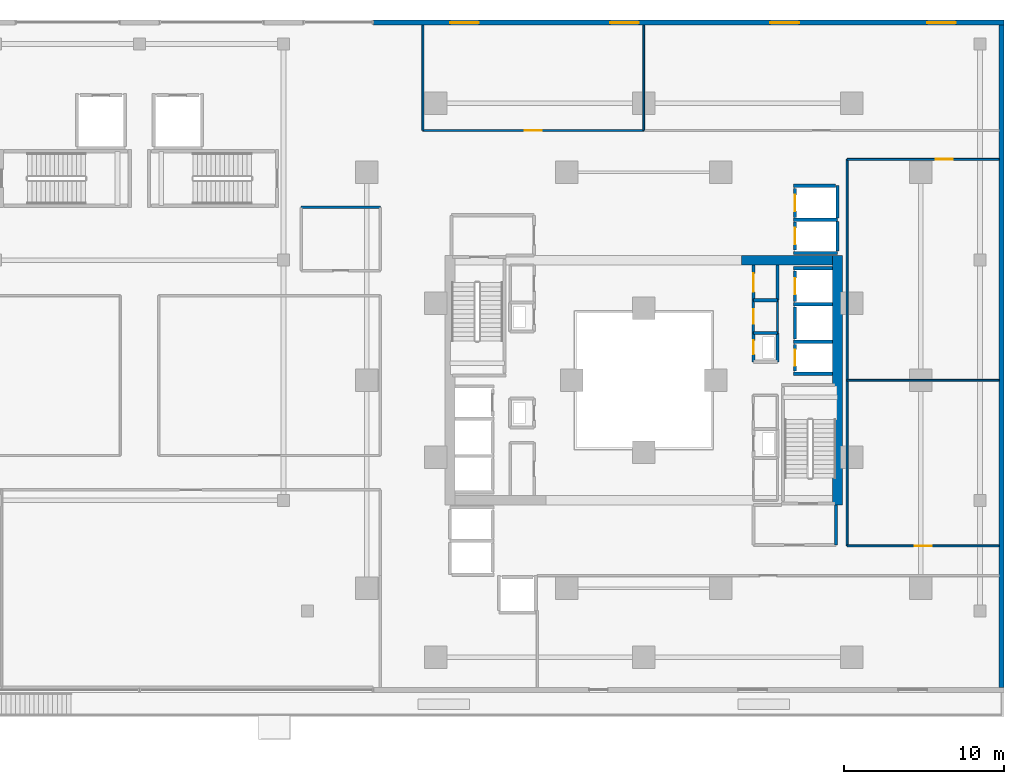
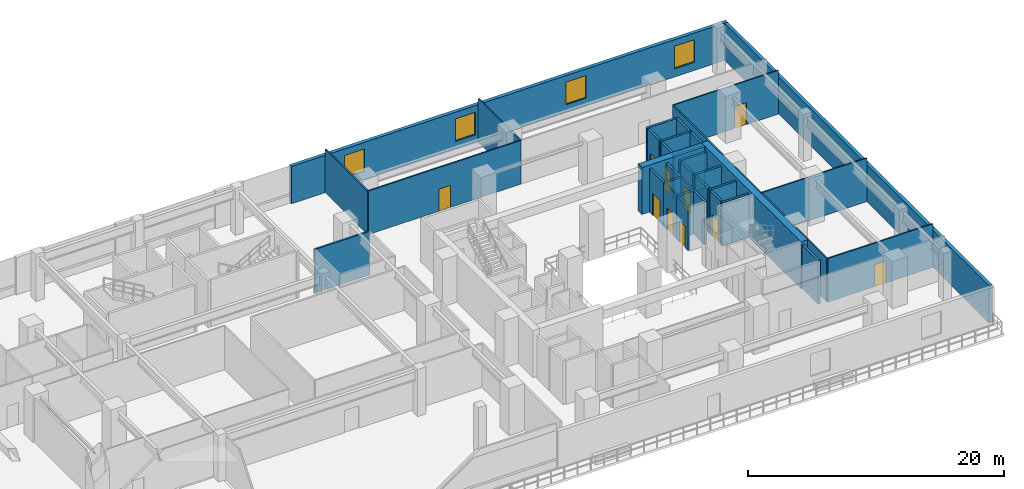
# One storey, part 18 of 25: 36 walls, 10 doors, 4 windows, 14 openings.
"""IFC4 building model written with IfcOpenShell, lengths in metres."""

from ifc_helpers import new_model, si_unit, direction, frame, frame_2d, origin, place, context, subcontext, project, spatial, rectangle, extrude, material, layer, layer_set, type_object, element, fill, save


model = new_model("IFC4")

# Units and contexts
model_context = context("Model", 3, precision=1e-05, world=origin(), true_north=direction((0.0, 1.0)))
body_context = subcontext(model_context, "Body", "Model", "MODEL_VIEW")
ifc_project = project(units=[si_unit("LENGTHUNIT", "METRE"), si_unit("AREAUNIT", "SQUARE_METRE"), si_unit("VOLUMEUNIT", "CUBIC_METRE"), si_unit("PLANEANGLEUNIT", "RADIAN"), si_unit("MASSUNIT", "GRAM", prefix="KILO")], contexts=[model_context])

# Site, building, storey
site_placement = place(None, origin())
site = spatial("IfcSite", under=ifc_project, at=site_placement, CompositionType="ELEMENT")
building_placement = place(site_placement, origin())
building = spatial("IfcBuilding", under=site, at=building_placement, Name="Thornwick Lancets Civic Towers", CompositionType="ELEMENT")
storey_placement = place(building_placement, frame((0.0, 0.0, 9.60009765625)))
storey = spatial("IfcBuildingStorey", under=building, at=storey_placement, Name="L02", CompositionType="ELEMENT", Elevation=9.60009765625)

# Wall, opening, door
ifc_material_1 = material(Name="Concrete blockwork C40/50", Category="masonry")
ifc_layer_1 = layer(ifc_material_1, 0.199951171875, Name="Concrete blockwork C40/50")
ifc_layer_set_1 = layer_set([ifc_layer_1], Name="Concrete blockwork C40/50")
wall_type_1 = type_object("IfcWallType", Name="WALL_COMP_200", PredefinedType="STANDARD", material=ifc_layer_set_1)
wall_1_placement = place(storey_placement, frame((97.949951171875, 29.219970703125, 0.0), z_axis=(0.0, 0.0, 1.0), x_axis=(0.0, -1.0, 0.0)))
wall_1 = element("IfcWall", 1, at=wall_1_placement, inside=storey, type_object=wall_type_1, Name="L02 Hoistway Front Wall FL-B1", PredefinedType="STANDARD", context=body_context, shape_type="SweptSolid", body=[
    extrude(rectangle(XDim=1.639892578125, YDim=0.199951171875, at=frame_2d((0.81982421875, 0.0))), origin(), (0.0, 0.0, 1.0), 4.159912109375),
])
opening_1_placement = place(wall_1_placement, frame((0.31005859375, 0.0, 0.0)))
opening_1 = element("IfcOpeningElement", 2, at=opening_1_placement, cuts=wall_1, Name="Opening LD-FL-B1", PredefinedType="OPENING", context=body_context, shape_type="SweptSolid", body=[
    extrude(rectangle(XDim=1.02001953125, YDim=2.06005859375, at=frame_2d((0.510009765625, 1.030029296875))), frame((0.0, 0.10986328125, 0.0), z_axis=(0.0, -1.0, 0.0), x_axis=(1.0, 0.0, 0.0)), (0.0, 0.0, 1.0), 0.219970703125),
])
ifc_material_2 = material(Name="Brushed bronze stainless steel", Category="steel")
door_type_1 = type_object("IfcDoorType", Name="DOOR_LIFT_SLIDE", OperationType="SLIDING_TO_LEFT", PredefinedType="DOOR", material=ifc_material_2)
door_1_placement = place(opening_1_placement, origin())
door_1 = element("IfcDoor", 3, at=door_1_placement, inside=storey, type_object=door_type_1, Name="L02 Sliding Lift Landing Door LD-FL-B1", OperationType="SLIDING_TO_LEFT", OverallHeight=2.06005859375, OverallWidth=1.02001953125, PredefinedType="DOOR", context=body_context, shape_type="SweptSolid", body=[
    extrude(rectangle(XDim=1.02001953125, YDim=2.06005859375, at=frame_2d((0.510009765625, 1.030029296875))), frame((0.0, 0.02490234375, 0.0), z_axis=(0.0, -1.0, 0.0), x_axis=(1.0, 0.0, 0.0)), (0.0, 0.0, 1.0), 0.050048828125),
])
fill(opening_1, door_1)

# Wall
wall_2_placement = place(storey_placement, frame((97.949951171875, 31.570068359375, 0.0), z_axis=(0.0, 0.0, 1.0), x_axis=(0.0, -1.0, 0.0)))
element("IfcWall", 4, at=wall_2_placement, inside=storey, type_object=wall_type_1, Name="L02 Hoistway Front Wall PL-BH1", PredefinedType="STANDARD", context=body_context, shape_type="SweptSolid", body=[
    extrude(rectangle(XDim=1.989990234375, YDim=0.199951171875, at=frame_2d((0.9951171875, 0.0))), origin(), (0.0, 0.0, 1.0), 4.159912109375),
])

# Wall, opening, door
wall_3_placement = place(storey_placement, frame((97.949951171875, 33.820068359375, 0.0), z_axis=(0.0, 0.0, 1.0), x_axis=(0.0, -1.0, 0.0)))
wall_3 = element("IfcWall", 5, at=wall_3_placement, inside=storey, type_object=wall_type_1, Name="L02 Hoistway Front Wall PL-BL1", PredefinedType="STANDARD", context=body_context, shape_type="SweptSolid", body=[
    extrude(rectangle(XDim=1.89013671875, YDim=0.199951171875, at=frame_2d((0.945068359375, 0.0))), origin(), (0.0, 0.0, 1.0), 4.159912109375),
])
opening_2_placement = place(wall_3_placement, frame((0.43505859375, 0.0, 0.0)))
opening_2 = element("IfcOpeningElement", 6, at=opening_2_placement, cuts=wall_3, Name="Opening LD-PL-BL1", PredefinedType="OPENING", context=body_context, shape_type="SweptSolid", body=[
    extrude(rectangle(XDim=1.02001953125, YDim=2.06005859375, at=frame_2d((0.510009765625, 1.030029296875))), frame((0.0, 0.10986328125, 0.0), z_axis=(0.0, -1.0, 0.0), x_axis=(1.0, 0.0, 0.0)), (0.0, 0.0, 1.0), 0.219970703125),
])
door_2_placement = place(opening_2_placement, origin())
door_2 = element("IfcDoor", 7, at=door_2_placement, inside=storey, type_object=door_type_1, Name="L02 Sliding Lift Landing Door LD-PL-BL1", OperationType="SLIDING_TO_LEFT", OverallHeight=2.06005859375, OverallWidth=1.02001953125, PredefinedType="DOOR", context=body_context, shape_type="SweptSolid", body=[
    extrude(rectangle(XDim=1.02001953125, YDim=2.06005859375, at=frame_2d((0.510009765625, 1.030029296875))), frame((0.0, 0.02490234375, 0.0), z_axis=(0.0, -1.0, 0.0), x_axis=(1.0, 0.0, 0.0)), (0.0, 0.0, 1.0), 0.050048828125),
])
fill(opening_2, door_2)

wall_4_placement = place(storey_placement, frame((97.949951171875, 36.8701171875, 0.0), z_axis=(0.0, 0.0, 1.0), x_axis=(0.0, -1.0, 0.0)))
wall_4 = element("IfcWall", 8, at=wall_4_placement, inside=storey, type_object=wall_type_1, Name="L02 Hoistway Front Wall PL-BL2", PredefinedType="STANDARD", context=body_context, shape_type="SweptSolid", body=[
    extrude(rectangle(XDim=1.740234375, YDim=0.199951171875, at=frame_2d((0.8701171875, 0.0))), origin(), (0.0, 0.0, 1.0), 4.159912109375),
])
opening_3_placement = place(wall_4_placement, frame((0.360107421875, 0.0, 0.0)))
opening_3 = element("IfcOpeningElement", 9, at=opening_3_placement, cuts=wall_4, Name="Opening LD-PL-BL2", PredefinedType="OPENING", context=body_context, shape_type="SweptSolid", body=[
    extrude(rectangle(XDim=1.02001953125, YDim=2.06005859375, at=frame_2d((0.510009765625, 1.030029296875))), frame((0.0, 0.10986328125, 0.0), z_axis=(0.0, -1.0, 0.0), x_axis=(1.0, 0.0, 0.0)), (0.0, 0.0, 1.0), 0.219970703125),
])
door_3_placement = place(opening_3_placement, origin())
door_3 = element("IfcDoor", 10, at=door_3_placement, inside=storey, type_object=door_type_1, Name="L02 Sliding Lift Landing Door LD-PL-BL2", OperationType="SLIDING_TO_LEFT", OverallHeight=2.06005859375, OverallWidth=1.02001953125, PredefinedType="DOOR", context=body_context, shape_type="SweptSolid", body=[
    extrude(rectangle(XDim=1.02001953125, YDim=2.06005859375, at=frame_2d((0.510009765625, 1.030029296875))), frame((0.0, 0.02490234375, 0.0), z_axis=(0.0, -1.0, 0.0), x_axis=(1.0, 0.0, 0.0)), (0.0, 0.0, 1.0), 0.050048828125),
])
fill(opening_3, door_3)

wall_5_placement = place(storey_placement, frame((97.949951171875, 38.969970703125, 0.0), z_axis=(0.0, 0.0, 1.0), x_axis=(0.0, -1.0, 0.0)))
wall_5 = element("IfcWall", 11, at=wall_5_placement, inside=storey, type_object=wall_type_1, Name="L02 Hoistway Front Wall PL-BL3", PredefinedType="STANDARD", context=body_context, shape_type="SweptSolid", body=[
    extrude(rectangle(XDim=1.7900390625, YDim=0.199951171875, at=frame_2d((0.89501953125, 0.0))), origin(), (0.0, 0.0, 1.0), 4.159912109375),
])
opening_4_placement = place(wall_5_placement, frame((0.385009765625, 0.0, 0.0)))
opening_4 = element("IfcOpeningElement", 12, at=opening_4_placement, cuts=wall_5, Name="Opening LD-PL-BL3", PredefinedType="OPENING", context=body_context, shape_type="SweptSolid", body=[
    extrude(rectangle(XDim=1.02001953125, YDim=2.06005859375, at=frame_2d((0.510009765625, 1.030029296875))), frame((0.0, 0.10986328125, 0.0), z_axis=(0.0, -1.0, 0.0), x_axis=(1.0, 0.0, 0.0)), (0.0, 0.0, 1.0), 0.219970703125),
])
door_4_placement = place(opening_4_placement, origin())
door_4 = element("IfcDoor", 13, at=door_4_placement, inside=storey, type_object=door_type_1, Name="L02 Sliding Lift Landing Door LD-PL-BL3", OperationType="SLIDING_TO_LEFT", OverallHeight=2.06005859375, OverallWidth=1.02001953125, PredefinedType="DOOR", context=body_context, shape_type="SweptSolid", body=[
    extrude(rectangle(XDim=1.02001953125, YDim=2.06005859375, at=frame_2d((0.510009765625, 1.030029296875))), frame((0.0, 0.02490234375, 0.0), z_axis=(0.0, -1.0, 0.0), x_axis=(1.0, 0.0, 0.0)), (0.0, 0.0, 1.0), 0.050048828125),
])
fill(opening_4, door_4)

# Walls
for number, where, z_axis, x_axis, name in (
    (14, (97.85205078125, 29.39990234375, 0.0), (0.0, 0.0, 1.0), (1.0, 0.0, 0.0), "L02 Hoistway Shaft Wall FL-B1 N"),
    (15, (97.85205078125, 27.39990234375, 0.0), (0.0, 0.0, 1.0), (1.0, 0.0, 0.0), "L02 Hoistway Shaft Wall FL-B1 S"),
    (16, (97.85205078125, 31.75, 0.0), (0.0, 0.0, 1.0), (1.0, 0.0, 0.0), "L02 Hoistway Shaft Wall PL-BH1 N"),
    (17, (97.85205078125, 34.0, 0.0), (0.0, 0.0, 1.0), (1.0, 0.0, 0.0), "L02 Hoistway Shaft Wall PL-BL1 N"),
):
    element("IfcWall", number, at=place(storey_placement, frame(where, z_axis=z_axis, x_axis=x_axis)), inside=storey, type_object=wall_type_1, Name=name, PredefinedType="STANDARD", context=body_context, shape_type="SweptSolid", body=[
        extrude(rectangle(XDim=2.43603515625, YDim=0.199951171875, at=frame_2d((1.218017578125, 0.0))), origin(), (0.0, 0.0, 1.0), 4.159912109375),
    ])
for number, where, z_axis, x_axis, name in (
    (18, (97.85205078125, 37.02490234375, 0.0), (0.0, 0.0, 1.0), (1.0, 0.0, 0.0), "L02 Hoistway Shaft Wall PL-BL2 N"),
    (19, (97.85205078125, 34.949951171875, 0.0), (0.0, 0.0, 1.0), (1.0, 0.0, 0.0), "L02 Hoistway Shaft Wall PL-BL2 S"),
):
    element("IfcWall", number, at=place(storey_placement, frame(where, z_axis=z_axis, x_axis=x_axis)), inside=storey, type_object=wall_type_1, Name=name, PredefinedType="STANDARD", context=body_context, shape_type="SweptSolid", body=[
        extrude(rectangle(XDim=2.745849609375, YDim=0.199951171875, at=frame_2d((1.373046875, 0.0))), origin(), (0.0, 0.0, 1.0), 4.159912109375),
    ])
wall_6_placement = place(storey_placement, frame((100.60009765625, 35.06201171875, 0.0), z_axis=(0.0, 0.0, 1.0), x_axis=(0.0, 1.0, 0.0)))
element("IfcWall", 20, at=wall_6_placement, inside=storey, type_object=wall_type_1, Name="L02 Hoistway Shaft Wall PL-BL2 E", PredefinedType="STANDARD", context=body_context, shape_type="SweptSolid", body=[
    extrude(rectangle(XDim=1.85595703125, YDim=0.199951171875, at=frame_2d((0.927978515625, 0.0))), origin(), (0.0, 0.0, 1.0), 4.159912109375),
])
wall_7_placement = place(storey_placement, frame((100.60009765625, 37.132080078125, 0.0), z_axis=(0.0, 0.0, 1.0), x_axis=(0.0, 1.0, 0.0)))
element("IfcWall", 21, at=wall_7_placement, inside=storey, type_object=wall_type_1, Name="L02 Hoistway Shaft Wall PL-BL2 E", PredefinedType="STANDARD", context=body_context, shape_type="SweptSolid", body=[
    extrude(rectangle(XDim=2.015869140625, YDim=0.199951171875, at=frame_2d((1.0078125, 0.0))), origin(), (0.0, 0.0, 1.0), 4.159912109375),
])
wall_8_placement = place(storey_placement, frame((97.85205078125, 39.14990234375, 0.0), z_axis=(0.0, 0.0, 1.0), x_axis=(1.0, 0.0, 0.0)))
element("IfcWall", 22, at=wall_8_placement, inside=storey, type_object=wall_type_1, Name="L02 Hoistway Shaft Wall PL-BL3 N", PredefinedType="STANDARD", context=body_context, shape_type="SweptSolid", body=[
    extrude(rectangle(XDim=2.635986328125, YDim=0.199951171875, at=frame_2d((1.31787109375, 0.0))), origin(), (0.0, 0.0, 1.0), 4.159912109375),
])
wall_9_placement = place(storey_placement, frame((100.5, 16.699951171875, 0.0), z_axis=(0.0, 0.0, 1.0), x_axis=(0.0, 1.0, 0.0)))
element("IfcWall", 23, at=wall_9_placement, inside=storey, type_object=wall_type_1, Name="L02 Partition L02-B-FFLOB1 E2", PredefinedType="STANDARD", context=body_context, shape_type="SweptSolid", body=[
    extrude(rectangle(XDim=2.5, YDim=0.199951171875, at=frame_2d((1.25, 0.0))), origin(), (0.0, 0.0, 1.0), 4.159912109375),
])
wall_10_placement = place(storey_placement, frame((96.85009765625, 28.14990234375, 0.0), z_axis=(0.0, 0.0, 1.0), x_axis=(0.0, 1.0, 0.0)))
element("IfcWall", 24, at=wall_10_placement, inside=storey, type_object=wall_type_1, Name="L02 Partition L02-B-DUCT1 E2", PredefinedType="STANDARD", context=body_context, shape_type="SweptSolid", body=[
    extrude(rectangle(XDim=1.800048828125, YDim=0.199951171875, at=frame_2d((0.89990234375, 0.0))), origin(), (0.0, 0.0, 1.0), 4.159912109375),
])
wall_11_placement = place(storey_placement, frame((96.85009765625, 29.949951171875, 0.0), z_axis=(0.0, 0.0, 1.0), x_axis=(-1.0, 0.0, 0.0)))
element("IfcWall", 25, at=wall_11_placement, inside=storey, type_object=wall_type_1, Name="L02 Partition L02-B-DUCT1 E3", PredefinedType="STANDARD", context=body_context, shape_type="SweptSolid", body=[
    extrude(rectangle(XDim=1.5, YDim=0.199951171875, at=frame_2d((0.75, 0.0))), origin(), (0.0, 0.0, 1.0), 4.159912109375),
])

# Wall, opening, door
wall_12_placement = place(storey_placement, frame((95.35009765625, 29.949951171875, 0.0), z_axis=(0.0, 0.0, 1.0), x_axis=(0.0, -1.0, 0.0)))
wall_12 = element("IfcWall", 26, at=wall_12_placement, inside=storey, type_object=wall_type_1, Name="L02 Partition L02-B-DUCT1 E4", PredefinedType="STANDARD", context=body_context, shape_type="SweptSolid", body=[
    extrude(rectangle(XDim=1.800048828125, YDim=0.199951171875, at=frame_2d((0.89990234375, 0.0))), origin(), (0.0, 0.0, 1.0), 4.159912109375),
])
opening_5_placement = place(wall_12_placement, frame((0.4599609375, 0.0, 0.0)))
opening_5 = element("IfcOpeningElement", 27, at=opening_5_placement, cuts=wall_12, Name="Opening D-L02-0152", PredefinedType="OPENING", context=body_context, shape_type="SweptSolid", body=[
    extrude(rectangle(XDim=0.8798828125, YDim=2.0400390625, at=frame_2d((0.43994140625, 1.02001953125))), frame((0.0, 0.10986328125, 0.0), z_axis=(0.0, -1.0, 0.0), x_axis=(1.0, 0.0, 0.0)), (0.0, 0.0, 1.0), 0.219970703125),
])
ifc_material_3 = material(Name="Steel riser access doorset", Category="steel")
door_type_2 = type_object("IfcDoorType", Name="DOOR_RISER_850", OperationType="NOTDEFINED", PredefinedType="DOOR", material=ifc_material_3)
door_5_placement = place(opening_5_placement, origin())
door_5 = element("IfcDoor", 28, at=door_5_placement, inside=storey, type_object=door_type_2, Name="L02 East Service Duct 1 Door", OperationType="SINGLE_SWING_LEFT", OverallHeight=2.0400390625, OverallWidth=0.8798828125, PredefinedType="DOOR", context=body_context, shape_type="SweptSolid", body=[
    extrude(rectangle(XDim=0.8798828125, YDim=2.0400390625, at=frame_2d((0.43994140625, 1.02001953125))), frame((0.0, 0.02490234375, 0.0), z_axis=(0.0, -1.0, 0.0), x_axis=(1.0, 0.0, 0.0)), (0.0, 0.0, 1.0), 0.050048828125),
])
fill(opening_5, door_5)

wall_13_placement = place(storey_placement, frame((95.35009765625, 32.0, 0.0), z_axis=(0.0, 0.0, 1.0), x_axis=(0.0, 1.0, 0.0)))
wall_13 = element("IfcWall", 29, at=wall_13_placement, inside=storey, type_object=wall_type_1, Name="L02 Partition L02-B-STR2 E1", PredefinedType="STANDARD", context=body_context, shape_type="SweptSolid", body=[
    extrude(rectangle(XDim=2.199951171875, YDim=0.199951171875, at=frame_2d((1.10009765625, 0.0))), origin(), (0.0, 0.0, 1.0), 4.159912109375),
])
opening_6_placement = place(wall_13_placement, frame((0.52490234375, 0.0, 0.0)))
opening_6 = element("IfcOpeningElement", 30, at=opening_6_placement, cuts=wall_13, Name="Opening D-L02-0159", PredefinedType="OPENING", context=body_context, shape_type="SweptSolid", body=[
    extrude(rectangle(XDim=1.14990234375, YDim=2.10009765625, at=frame_2d((0.574951171875, 1.050048828125))), frame((0.0, 0.10986328125, 0.0), z_axis=(0.0, -1.0, 0.0), x_axis=(1.0, 0.0, 0.0)), (0.0, 0.0, 1.0), 0.219970703125),
])
ifc_material_4 = material(Name="Glazed fire-resisting steel", Category="steel")
door_type_3 = type_object("IfcDoorType", Name="DOOR_LOBBY_FD60", OperationType="NOTDEFINED", PredefinedType="DOOR", material=ifc_material_4)
door_6_placement = place(opening_6_placement, origin())
door_6 = element("IfcDoor", 31, at=door_6_placement, inside=storey, type_object=door_type_3, Name="L02 Tower B Core Supplies Store Door", OperationType="SINGLE_SWING_RIGHT", OverallHeight=2.10009765625, OverallWidth=1.14990234375, PredefinedType="DOOR", context=body_context, shape_type="SweptSolid", body=[
    extrude(rectangle(XDim=1.14990234375, YDim=2.10009765625, at=frame_2d((0.574951171875, 1.050048828125))), frame((0.0, 0.02490234375, 0.0), z_axis=(0.0, -1.0, 0.0), x_axis=(1.0, 0.0, 0.0)), (0.0, 0.0, 1.0), 0.050048828125),
])
fill(opening_6, door_6)

# Walls
wall_14_placement = place(storey_placement, frame((96.85009765625, 34.199951171875, 0.0), z_axis=(0.0, 0.0, 1.0), x_axis=(0.0, -1.0, 0.0)))
element("IfcWall", 32, at=wall_14_placement, inside=storey, type_object=wall_type_1, Name="L02 Partition L02-B-STR2 E3", PredefinedType="STANDARD", context=body_context, shape_type="SweptSolid", body=[
    extrude(rectangle(XDim=2.199951171875, YDim=0.199951171875, at=frame_2d((1.10009765625, 0.0))), origin(), (0.0, 0.0, 1.0), 4.159912109375),
])
wall_15_placement = place(storey_placement, frame((96.85009765625, 32.0, 0.0), z_axis=(0.0, 0.0, 1.0), x_axis=(-1.0, 0.0, 0.0)))
element("IfcWall", 33, at=wall_15_placement, inside=storey, type_object=wall_type_1, Name="L02 Partition L02-B-STR2 E4", PredefinedType="STANDARD", context=body_context, shape_type="SweptSolid", body=[
    extrude(rectangle(XDim=1.5, YDim=0.199951171875, at=frame_2d((0.75, 0.0))), origin(), (0.0, 0.0, 1.0), 4.159912109375),
])
ifc_material_5 = material(Name="Concrete C60/75", Category="concrete")
ifc_layer_2 = layer(ifc_material_5, 0.60009765625, Name="Concrete C60/75")
ifc_layer_set_2 = layer_set([ifc_layer_2], Name="Concrete C60/75")
wall_type_2 = type_object("IfcWallType", Name="WALL_CORE_600", PredefinedType="SHEAR", material=ifc_layer_set_2)
wall_16_placement = place(storey_placement, frame((100.60009765625, 19.199951171875, 0.0), z_axis=(0.0, 0.0, 1.0), x_axis=(0.0, 1.0, 0.0)))
element("IfcWall", 34, at=wall_16_placement, inside=storey, type_object=wall_type_2, Name="L02 Split Core B1 Shear Wall E", PredefinedType="SHEAR", context=body_context, shape_type="SweptSolid", body=[
    extrude(rectangle(XDim=15.60009765625, YDim=0.60009765625, at=frame_2d((7.800048828125, 0.0))), origin(), (0.0, 0.0, 1.0), 4.5),
])
wall_17_placement = place(storey_placement, frame((94.60009765625, 34.5, 0.0), z_axis=(0.0, 0.0, 1.0), x_axis=(1.0, 0.0, 0.0)))
element("IfcWall", 35, at=wall_17_placement, inside=storey, type_object=wall_type_2, Name="L02 Split Core B1 Shear Wall N", PredefinedType="SHEAR", context=body_context, shape_type="SweptSolid", body=[
    extrude(rectangle(XDim=5.699951171875, YDim=0.60009765625, at=frame_2d((2.85009765625, 0.0))), origin(), (0.0, 0.0, 1.0), 4.5),
])
ifc_material_6 = material(Name="Insulated russet terracotta rainscreen on concrete C40/50", Category="masonry")
ifc_layer_3 = layer(ifc_material_6, 0.300048828125, Name="Insulated russet terracotta rainscreen on concrete C40/50")
ifc_layer_set_3 = layer_set([ifc_layer_3], Name="Insulated russet terracotta rainscreen on concrete C40/50")
wall_type_3 = type_object("IfcWallType", Name="WALL_EXT_RUSSET_300", PredefinedType="STANDARD", material=ifc_layer_set_3)
wall_18_placement = place(storey_placement, frame((110.85009765625, 7.820068359375, 0.0), z_axis=(0.0, 0.0, 1.0), x_axis=(0.0, 1.0, 0.0)))
element("IfcWall", 36, at=wall_18_placement, inside=storey, type_object=wall_type_3, Name="L02 Podium East Facade Wall", PredefinedType="STANDARD", context=body_context, shape_type="SweptSolid", body=[
    extrude(rectangle(XDim=41.35986328125, YDim=0.300048828125, at=frame_2d((20.679931640625, 0.0))), origin(), (0.0, 0.0, 1.0), 3.559814453125),
])

# Wall, openings, windows
ifc_material_7 = material(Name="Insulated buff terracotta rainscreen on concrete C40/50", Category="masonry")
ifc_layer_4 = layer(ifc_material_7, 0.320068359375, Name="Insulated buff terracotta rainscreen on concrete C40/50")
ifc_layer_set_4 = layer_set([ifc_layer_4], Name="Insulated buff terracotta rainscreen on concrete C40/50")
wall_type_4 = type_object("IfcWallType", Name="WALL_EXT_TERRA_320", PredefinedType="STANDARD", material=ifc_layer_set_4)
wall_19_placement = place(storey_placement, frame((111.0, 49.340087890625, 0.0), z_axis=(0.0, 0.0, 1.0), x_axis=(-1.0, 0.0, 0.0)))
wall_19 = element("IfcWall", 37, at=wall_19_placement, inside=storey, type_object=wall_type_4, Name="L02 Podium North-East Facade Wall", PredefinedType="STANDARD", context=body_context, shape_type="SweptSolid", body=[
    extrude(rectangle(XDim=39.39990234375, YDim=0.320068359375, at=frame_2d((19.699951171875, 0.0))), origin(), (0.0, 0.0, 1.0), 3.559814453125),
])
opening_7_placement = place(wall_19_placement, frame((3.0, 0.0, 0.780029296875)))
opening_7 = element("IfcOpeningElement", 38, at=opening_7_placement, cuts=wall_19, Name="Opening WP-18", PredefinedType="OPENING", context=body_context, shape_type="SweptSolid", body=[
    extrude(rectangle(XDim=1.800048828125, YDim=2.14990234375, at=frame_2d((0.89990234375, 1.074951171875))), frame((0.0, 0.169921875, 0.0), z_axis=(0.0, -1.0, 0.0), x_axis=(1.0, 0.0, 0.0)), (0.0, 0.0, 1.0), 0.340087890625),
])
opening_8_placement = place(wall_19_placement, frame((12.800048828125, 0.0, 0.780029296875)))
opening_8 = element("IfcOpeningElement", 39, at=opening_8_placement, cuts=wall_19, Name="Opening WP-18", PredefinedType="OPENING", context=body_context, shape_type="SweptSolid", body=[
    extrude(rectangle(XDim=1.800048828125, YDim=2.14990234375, at=frame_2d((0.89990234375, 1.074951171875))), frame((0.0, 0.169921875, 0.0), z_axis=(0.0, -1.0, 0.0), x_axis=(1.0, 0.0, 0.0)), (0.0, 0.0, 1.0), 0.340087890625),
])
opening_9_placement = place(wall_19_placement, frame((22.800048828125, 0.0, 0.780029296875)))
opening_9 = element("IfcOpeningElement", 40, at=opening_9_placement, cuts=wall_19, Name="Opening WP-18", PredefinedType="OPENING", context=body_context, shape_type="SweptSolid", body=[
    extrude(rectangle(XDim=1.800048828125, YDim=2.14990234375, at=frame_2d((0.89990234375, 1.074951171875))), frame((0.0, 0.169921875, 0.0), z_axis=(0.0, -1.0, 0.0), x_axis=(1.0, 0.0, 0.0)), (0.0, 0.0, 1.0), 0.340087890625),
])
opening_10_placement = place(wall_19_placement, frame((32.800048828125, 0.0, 0.780029296875)))
opening_10 = element("IfcOpeningElement", 41, at=opening_10_placement, cuts=wall_19, Name="Opening WP-18", PredefinedType="OPENING", context=body_context, shape_type="SweptSolid", body=[
    extrude(rectangle(XDim=1.800048828125, YDim=2.14990234375, at=frame_2d((0.89990234375, 1.074951171875))), frame((0.0, 0.169921875, 0.0), z_axis=(0.0, -1.0, 0.0), x_axis=(1.0, 0.0, 0.0)), (0.0, 0.0, 1.0), 0.340087890625),
])
ifc_material_8 = material(Name="Pointed lancet clear glass window", Category="glass")
window_type = type_object("IfcWindowType", Name="WIN_PODIUM_1800", PartitioningType="SINGLE_PANEL", PredefinedType="WINDOW", material=ifc_material_8)
window_1_placement = place(opening_7_placement, origin())
window_1 = element("IfcWindow", 42, at=window_1_placement, inside=storey, type_object=window_type, Name="L02 Podium Lancet Window 1", OverallHeight=2.14990234375, OverallWidth=1.800048828125, PartitioningType="SINGLE_PANEL", PredefinedType="WINDOW", context=body_context, shape_type="SweptSolid", body=[
    extrude(rectangle(XDim=1.800048828125, YDim=2.14990234375, at=frame_2d((0.89990234375, 1.074951171875))), frame((0.0, 0.030029296875, 0.0), z_axis=(0.0, -1.0, 0.0), x_axis=(1.0, 0.0, 0.0)), (0.0, 0.0, 1.0), 0.06005859375),
])
fill(opening_7, window_1)
window_2_placement = place(opening_8_placement, origin())
window_2 = element("IfcWindow", 43, at=window_2_placement, inside=storey, type_object=window_type, Name="L02 Podium Lancet Window 2", OverallHeight=2.14990234375, OverallWidth=1.800048828125, PartitioningType="SINGLE_PANEL", PredefinedType="WINDOW", context=body_context, shape_type="SweptSolid", body=[
    extrude(rectangle(XDim=1.800048828125, YDim=2.14990234375, at=frame_2d((0.89990234375, 1.074951171875))), frame((0.0, 0.030029296875, 0.0), z_axis=(0.0, -1.0, 0.0), x_axis=(1.0, 0.0, 0.0)), (0.0, 0.0, 1.0), 0.06005859375),
])
fill(opening_8, window_2)
window_3_placement = place(opening_9_placement, origin())
window_3 = element("IfcWindow", 44, at=window_3_placement, inside=storey, type_object=window_type, Name="L02 Podium Lancet Window 3", OverallHeight=2.14990234375, OverallWidth=1.800048828125, PartitioningType="SINGLE_PANEL", PredefinedType="WINDOW", context=body_context, shape_type="SweptSolid", body=[
    extrude(rectangle(XDim=1.800048828125, YDim=2.14990234375, at=frame_2d((0.89990234375, 1.074951171875))), frame((0.0, 0.030029296875, 0.0), z_axis=(0.0, -1.0, 0.0), x_axis=(1.0, 0.0, 0.0)), (0.0, 0.0, 1.0), 0.06005859375),
])
fill(opening_9, window_3)
window_4_placement = place(opening_10_placement, origin())
window_4 = element("IfcWindow", 45, at=window_4_placement, inside=storey, type_object=window_type, Name="L02 Podium Lancet Window 4", OverallHeight=2.14990234375, OverallWidth=1.800048828125, PartitioningType="SINGLE_PANEL", PredefinedType="WINDOW", context=body_context, shape_type="SweptSolid", body=[
    extrude(rectangle(XDim=1.800048828125, YDim=2.14990234375, at=frame_2d((0.89990234375, 1.074951171875))), frame((0.0, 0.030029296875, 0.0), z_axis=(0.0, -1.0, 0.0), x_axis=(1.0, 0.0, 0.0)), (0.0, 0.0, 1.0), 0.06005859375),
])
fill(opening_10, window_4)

# Walls
ifc_material_9 = material(Name="Acoustic gypsum board partition")
ifc_layer_5 = layer(ifc_material_9, 0.1201171875, Name="Acoustic gypsum board partition")
ifc_layer_set_5 = layer_set([ifc_layer_5], Name="Acoustic gypsum board partition")
wall_type_5 = type_object("IfcWallType", Name="WALL_PART_120", PredefinedType="PARTITIONING", material=ifc_layer_set_5)
wall_20_placement = place(storey_placement, frame((101.199951171875, 16.64990234375, 0.0), z_axis=(0.0, 0.0, 1.0), x_axis=(0.0, 1.0, 0.0)))
element("IfcWall", 46, at=wall_20_placement, inside=storey, type_object=wall_type_5, Name="L02 Partition L02-PANT E1", PredefinedType="PARTITIONING", context=body_context, shape_type="SweptSolid", body=[
    extrude(rectangle(XDim=10.35009765625, YDim=0.1201171875, at=frame_2d((5.175048828125, 0.0))), origin(), (0.0, 0.0, 1.0), 4.159912109375),
])
wall_21_placement = place(storey_placement, frame((101.199951171875, 27.0, 0.0), z_axis=(0.0, 0.0, 1.0), x_axis=(1.0, 0.0, 0.0)))
element("IfcWall", 47, at=wall_21_placement, inside=storey, type_object=wall_type_5, Name="L02 Partition L02-PANT E2", PredefinedType="PARTITIONING", context=body_context, shape_type="SweptSolid", body=[
    extrude(rectangle(XDim=9.5, YDim=0.1201171875, at=frame_2d((4.75, 0.0))), origin(), (0.0, 0.0, 1.0), 4.159912109375),
])

# Wall, opening, door
wall_22_placement = place(storey_placement, frame((110.699951171875, 16.64990234375, 0.0), z_axis=(0.0, 0.0, 1.0), x_axis=(-1.0, 0.0, 0.0)))
wall_22 = element("IfcWall", 48, at=wall_22_placement, inside=storey, type_object=wall_type_5, Name="L02 Partition L02-PANT E4", PredefinedType="PARTITIONING", context=body_context, shape_type="SweptSolid", body=[
    extrude(rectangle(XDim=9.5, YDim=0.1201171875, at=frame_2d((4.75, 0.0))), origin(), (0.0, 0.0, 1.0), 4.159912109375),
])
opening_11_placement = place(wall_22_placement, frame((4.22509765625, 0.0, 0.0)))
opening_11 = element("IfcOpeningElement", 49, at=opening_11_placement, cuts=wall_22, Name="Opening D-L02-0168", PredefinedType="OPENING", context=body_context, shape_type="SweptSolid", body=[
    extrude(rectangle(XDim=1.050048828125, YDim=2.10009765625, at=frame_2d((0.52490234375, 1.050048828125))), frame((0.0, 0.070068359375, 0.0), z_axis=(0.0, -1.0, 0.0), x_axis=(1.0, 0.0, 0.0)), (0.0, 0.0, 1.0), 0.14013671875),
])
ifc_material_10 = material(Name="Glazed European oak executive doorset")
door_type_4 = type_object("IfcDoorType", Name="DOOR_OFFICE_1050", OperationType="NOTDEFINED", PredefinedType="DOOR", material=ifc_material_10)
door_7_placement = place(opening_11_placement, origin())
door_7 = element("IfcDoor", 50, at=door_7_placement, inside=storey, type_object=door_type_4, Name="L02 Staff Pantry and Breakout Lounge Door", OperationType="SINGLE_SWING_LEFT", OverallHeight=2.10009765625, OverallWidth=1.050048828125, PredefinedType="DOOR", context=body_context, shape_type="SweptSolid", body=[
    extrude(rectangle(XDim=1.050048828125, YDim=2.10009765625, at=frame_2d((0.52490234375, 1.050048828125))), frame((0.0, 0.02490234375, 0.0), z_axis=(0.0, -1.0, 0.0), x_axis=(1.0, 0.0, 0.0)), (0.0, 0.0, 1.0), 0.050048828125),
])
fill(opening_11, door_7)

# Wall
wall_23_placement = place(storey_placement, frame((101.199951171875, 27.0, 0.0), z_axis=(0.0, 0.0, 1.0), x_axis=(0.0, 1.0, 0.0)))
element("IfcWall", 51, at=wall_23_placement, inside=storey, type_object=wall_type_5, Name="L02 Partition L02-ESUITE E1", PredefinedType="PARTITIONING", context=body_context, shape_type="SweptSolid", body=[
    extrude(rectangle(XDim=13.800048828125, YDim=0.1201171875, at=frame_2d((6.89990234375, 0.0))), origin(), (0.0, 0.0, 1.0), 4.159912109375),
])

# Wall, opening, door
wall_24_placement = place(storey_placement, frame((101.199951171875, 40.800048828125, 0.0), z_axis=(0.0, 0.0, 1.0), x_axis=(1.0, 0.0, 0.0)))
wall_24 = element("IfcWall", 52, at=wall_24_placement, inside=storey, type_object=wall_type_5, Name="L02 Partition L02-ESUITE E2", PredefinedType="PARTITIONING", context=body_context, shape_type="SweptSolid", body=[
    extrude(rectangle(XDim=9.5, YDim=0.1201171875, at=frame_2d((4.75, 0.0))), origin(), (0.0, 0.0, 1.0), 4.159912109375),
])
opening_12_placement = place(wall_24_placement, frame((5.544921875, 0.0, 0.0)))
opening_12 = element("IfcOpeningElement", 53, at=opening_12_placement, cuts=wall_24, Name="Opening D-L02-0169", PredefinedType="OPENING", context=body_context, shape_type="SweptSolid", body=[
    extrude(rectangle(XDim=1.050048828125, YDim=2.10009765625, at=frame_2d((0.52490234375, 1.050048828125))), frame((0.0, 0.070068359375, 0.0), z_axis=(0.0, -1.0, 0.0), x_axis=(1.0, 0.0, 0.0)), (0.0, 0.0, 1.0), 0.14013671875),
])
door_8_placement = place(opening_12_placement, origin())
door_8 = element("IfcDoor", 54, at=door_8_placement, inside=storey, type_object=door_type_4, Name="L02 East Advisory Suite Door", OperationType="SINGLE_SWING_RIGHT", OverallHeight=2.10009765625, OverallWidth=1.050048828125, PredefinedType="DOOR", context=body_context, shape_type="SweptSolid", body=[
    extrude(rectangle(XDim=1.050048828125, YDim=2.10009765625, at=frame_2d((0.52490234375, 1.050048828125))), frame((0.0, 0.02490234375, 0.0), z_axis=(0.0, -1.0, 0.0), x_axis=(1.0, 0.0, 0.0)), (0.0, 0.0, 1.0), 0.050048828125),
])
fill(opening_12, door_8)

# Walls
for number, where, z_axis, x_axis, name in (
    (55, (74.699951171875, 42.60009765625, 0.0), (0.0, 0.0, 1.0), (0.0, 1.0, 0.0), "L02 Partition L02-OFFNC E1"),
    (56, (88.5, 49.179931640625, 0.0), (0.0, 0.0, 1.0), (0.0, -1.0, 0.0), "L02 Partition L02-OFFNC E3"),
):
    element("IfcWall", number, at=place(storey_placement, frame(where, z_axis=z_axis, x_axis=x_axis)), inside=storey, type_object=wall_type_5, Name=name, PredefinedType="PARTITIONING", context=body_context, shape_type="SweptSolid", body=[
        extrude(rectangle(XDim=6.579833984375, YDim=0.1201171875, at=frame_2d((3.2900390625, 0.0))), origin(), (0.0, 0.0, 1.0), 4.159912109375),
    ])

# Wall, opening, door
wall_25_placement = place(storey_placement, frame((88.5, 42.60009765625, 0.0), z_axis=(0.0, 0.0, 1.0), x_axis=(-1.0, 0.0, 0.0)))
wall_25 = element("IfcWall", 57, at=wall_25_placement, inside=storey, type_object=wall_type_5, Name="L02 Partition L02-OFFNC E4", PredefinedType="PARTITIONING", context=body_context, shape_type="SweptSolid", body=[
    extrude(rectangle(XDim=13.800048828125, YDim=0.1201171875, at=frame_2d((6.89990234375, 0.0))), origin(), (0.0, 0.0, 1.0), 4.159912109375),
])
opening_13_placement = place(wall_25_placement, frame((6.375, 0.0, 0.0)))
opening_13 = element("IfcOpeningElement", 58, at=opening_13_placement, cuts=wall_25, Name="Opening D-L02-0175", PredefinedType="OPENING", context=body_context, shape_type="SweptSolid", body=[
    extrude(rectangle(XDim=1.050048828125, YDim=2.10009765625, at=frame_2d((0.52490234375, 1.050048828125))), frame((0.0, 0.070068359375, 0.0), z_axis=(0.0, -1.0, 0.0), x_axis=(1.0, 0.0, 0.0)), (0.0, 0.0, 1.0), 0.14013671875),
])
door_9_placement = place(opening_13_placement, origin())
door_9 = element("IfcDoor", 59, at=door_9_placement, inside=storey, type_object=door_type_4, Name="L02 North Secretariat Division Door", OperationType="SINGLE_SWING_RIGHT", OverallHeight=2.10009765625, OverallWidth=1.050048828125, PredefinedType="DOOR", context=body_context, shape_type="SweptSolid", body=[
    extrude(rectangle(XDim=1.050048828125, YDim=2.10009765625, at=frame_2d((0.52490234375, 1.050048828125))), frame((0.0, 0.02490234375, 0.0), z_axis=(0.0, -1.0, 0.0), x_axis=(1.0, 0.0, 0.0)), (0.0, 0.0, 1.0), 0.050048828125),
])
fill(opening_13, door_9)

ifc_material_11 = material(Name="Twin-stud acoustic gypsum board")
ifc_layer_6 = layer(ifc_material_11, 0.14990234375, Name="Twin-stud acoustic gypsum board")
ifc_layer_set_6 = layer_set([ifc_layer_6], Name="Twin-stud acoustic gypsum board")
wall_type_6 = type_object("IfcWallType", Name="WALL_PART_150", PredefinedType="PARTITIONING", material=ifc_layer_set_6)
wall_26_placement = place(storey_placement, frame((95.35009765625, 29.949951171875, 0.0), z_axis=(0.0, 0.0, 1.0), x_axis=(0.0, 1.0, 0.0)))
wall_26 = element("IfcWall", 60, at=wall_26_placement, inside=storey, type_object=wall_type_6, Name="L02 Partition L02-B-AWC E1", PredefinedType="PARTITIONING", context=body_context, shape_type="SweptSolid", body=[
    extrude(rectangle(XDim=2.050048828125, YDim=0.14990234375, at=frame_2d((1.02490234375, 0.0))), origin(), (0.0, 0.0, 1.0), 4.159912109375),
])
opening_14_placement = place(wall_26_placement, frame((0.56494140625, 0.0, 0.0)))
opening_14 = element("IfcOpeningElement", 61, at=opening_14_placement, cuts=wall_26, Name="Opening D-L02-0158", PredefinedType="OPENING", context=body_context, shape_type="SweptSolid", body=[
    extrude(rectangle(XDim=0.919921875, YDim=2.080078125, at=frame_2d((0.4599609375, 1.0400390625))), frame((0.0, 0.0849609375, 0.0), z_axis=(0.0, -1.0, 0.0), x_axis=(1.0, 0.0, 0.0)), (0.0, 0.0, 1.0), 0.169921875),
])
ifc_material_12 = material(Name="Moisture-resistant oak doorset")
door_type_5 = type_object("IfcDoorType", Name="DOOR_WC_900", OperationType="NOTDEFINED", PredefinedType="DOOR", material=ifc_material_12)
door_10_placement = place(opening_14_placement, origin())
door_10 = element("IfcDoor", 62, at=door_10_placement, inside=storey, type_object=door_type_5, Name="L02 Tower B Accessible WC Door", OperationType="SINGLE_SWING_LEFT", OverallHeight=2.080078125, OverallWidth=0.919921875, PredefinedType="DOOR", context=body_context, shape_type="SweptSolid", body=[
    extrude(rectangle(XDim=0.919921875, YDim=2.080078125, at=frame_2d((0.4599609375, 1.0400390625))), frame((0.0, 0.02490234375, 0.0), z_axis=(0.0, -1.0, 0.0), x_axis=(1.0, 0.0, 0.0)), (0.0, 0.0, 1.0), 0.050048828125),
])
fill(opening_14, door_10)

# Walls
wall_27_placement = place(storey_placement, frame((96.85009765625, 32.0, 0.0), z_axis=(0.0, 0.0, 1.0), x_axis=(0.0, -1.0, 0.0)))
element("IfcWall", 63, at=wall_27_placement, inside=storey, type_object=wall_type_6, Name="L02 Partition L02-B-AWC E3", PredefinedType="PARTITIONING", context=body_context, shape_type="SweptSolid", body=[
    extrude(rectangle(XDim=2.050048828125, YDim=0.14990234375, at=frame_2d((1.02490234375, 0.0))), origin(), (0.0, 0.0, 1.0), 4.159912109375),
])
wall_28_placement = place(storey_placement, frame((72.050048828125, 37.800048828125, 0.0), z_axis=(0.0, 0.0, 1.0), x_axis=(-1.0, 0.0, 0.0)))
element("IfcWall", 64, at=wall_28_placement, inside=storey, type_object=wall_type_6, Name="L02 Partition L02-POD-FWC E3", PredefinedType="PARTITIONING", context=body_context, shape_type="SweptSolid", body=[
    extrude(rectangle(XDim=4.949951171875, YDim=0.14990234375, at=frame_2d((2.47509765625, 0.0))), origin(), (0.0, 0.0, 1.0), 4.159912109375),
])

save(model, "model.ifc")
